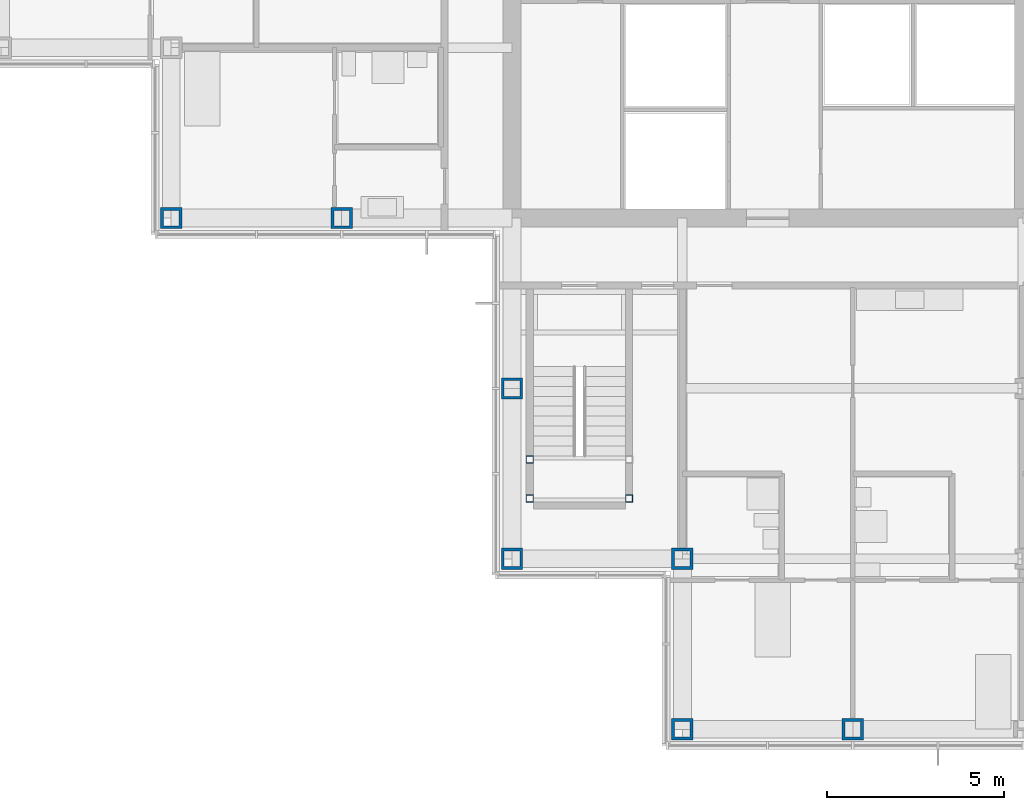
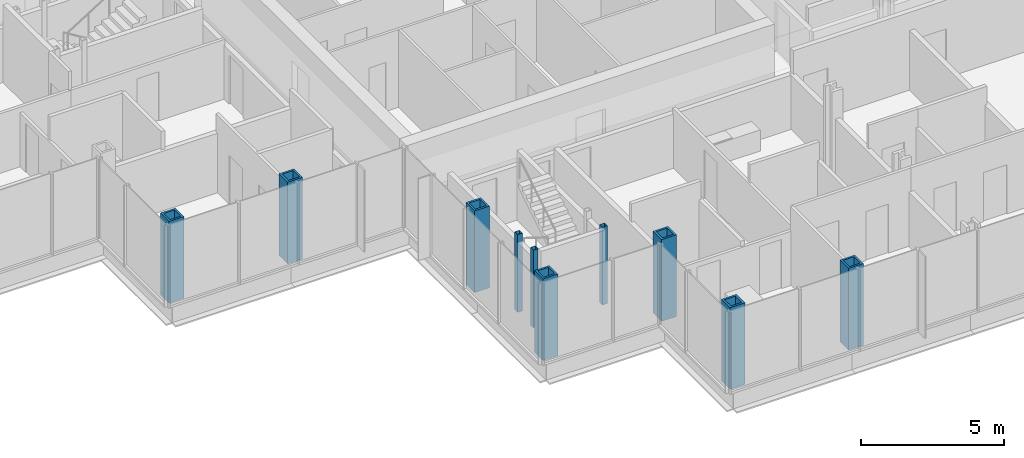
# One storey, part 1 of 20: 10 columns.
"""IFC4 building model written with IfcOpenShell, lengths in metres."""

from ifc_helpers import new_model, si_unit, direction, frame, origin, origin_2d, place, context, subcontext, project, spatial, hollow_rectangle, extrude, material, material_profile, profile_set, type_object, element, save


model = new_model("IFC4")

# Units and contexts
model_context = context("Model", 3, precision=1e-05, world=origin(), true_north=direction((0.0, 1.0)))
body_context = subcontext(model_context, "Body", "Model", "MODEL_VIEW")
ifc_project = project(units=[si_unit("LENGTHUNIT", "METRE"), si_unit("AREAUNIT", "SQUARE_METRE"), si_unit("VOLUMEUNIT", "CUBIC_METRE"), si_unit("PLANEANGLEUNIT", "RADIAN"), si_unit("MASSUNIT", "GRAM", prefix="KILO")], contexts=[model_context])

# Site, building, storey
site_placement = place(None, origin())
site = spatial("IfcSite", under=ifc_project, at=site_placement, CompositionType="ELEMENT")
building_placement = place(site_placement, origin())
building = spatial("IfcBuilding", under=site, at=building_placement, Name="Kvirike Care Tower", CompositionType="ELEMENT")
storey_placement = place(building_placement, frame((0.0, 0.0, 115.5)))
storey = spatial("IfcBuildingStorey", under=building, at=storey_placement, Name="L31", CompositionType="ELEMENT", Elevation=115.5)

# Columns
ifc_material_1 = material(Name="Steel S460", Category="steel")
ifc_material_profile_1 = material_profile(ifc_material_1, hollow_rectangle(XDim=0.60009765625, YDim=0.60009765625, WallThickness=0.080078125, at=origin_2d()), Name="BX 600x600x80")
ifc_profile_set_1 = profile_set([ifc_material_profile_1], Name="Steel S460")
column_type_1 = type_object("IfcColumnType", Name="COLUMN BX 600x600x80", PredefinedType="COLUMN", material=ifc_profile_set_1)
for number, where, z_axis, x_axis, name in (
    (1, (4.800048828125, 28.800048828125, 0.0), (0.0, 0.0, 1.0), (0.0, 1.0, 0.0), "Column G4 L31"),
    (2, (9.60009765625, 28.800048828125, 0.0), (0.0, 0.0, 1.0), (0.0, 1.0, 0.0), "Column G5 L31"),
    (3, (14.39990234375, 19.199951171875, 0.0), (0.0, 0.0, 1.0), (0.0, 1.0, 0.0), "Column E6 L31"),
    (4, (14.39990234375, 24.0, 0.0), (0.0, 0.0, 1.0), (1.0, 0.0, 0.0), "Column F6 L31"),
    (5, (19.199951171875, 14.39990234375, 0.0), (0.0, 0.0, 1.0), (0.0, 1.0, 0.0), "Column D7 L31"),
    (6, (19.199951171875, 19.199951171875, 0.0), (0.0, 0.0, 1.0), (0.0, 1.0, 0.0), "Column E7 L31"),
    (7, (24.0, 14.39990234375, 0.0), (0.0, 0.0, 1.0), (0.0, 1.0, 0.0), "Column D8 L31"),
):
    element("IfcColumn", number, at=place(storey_placement, frame(where, z_axis=z_axis, x_axis=x_axis)), inside=storey, type_object=column_type_1, Name=name, PredefinedType="COLUMN", context=body_context, shape_type="SweptSolid", body=[
        extrude(hollow_rectangle(XDim=0.60009765625, YDim=0.60009765625, WallThickness=0.080078125, at=origin_2d()), origin(), (0.0, 0.0, 1.0), 3.5),
    ])
ifc_material_2 = material(Name="Steel S460", Category="steel")
ifc_material_profile_2 = material_profile(ifc_material_2, hollow_rectangle(XDim=0.199951171875, YDim=0.199951171875, WallThickness=0.008056640625, at=origin_2d()), Name="SHS 200x200x8")
ifc_profile_set_2 = profile_set([ifc_material_profile_2], Name="Steel S460")
column_type_2 = type_object("IfcColumnType", Name="STAIR POST SHS 200x200x8", PredefinedType="COLUMN", material=ifc_profile_set_2)
for number, where, z_axis, x_axis, name in (
    (8, (14.89990234375, 20.89990234375, 0.0), (0.0, 0.0, 1.0), (1.0, 0.0, 0.0), "Stair 5 post 1 L31"),
    (9, (17.699951171875, 20.89990234375, 0.0), (0.0, 0.0, 1.0), (1.0, 0.0, 0.0), "Stair 5 post 2 L31"),
    (10, (14.89990234375, 22.0, 0.0), (0.0, 0.0, 1.0), (1.0, 0.0, 0.0), "Stair 5 post 3 L31"),
):
    element("IfcColumn", number, at=place(storey_placement, frame(where, z_axis=z_axis, x_axis=x_axis)), inside=storey, type_object=column_type_2, Name=name, PredefinedType="COLUMN", context=body_context, shape_type="SweptSolid", body=[
        extrude(hollow_rectangle(XDim=0.199951171875, YDim=0.199951171875, WallThickness=0.008056640625, at=origin_2d()), origin(), (0.0, 0.0, 1.0), 3.330078125),
    ])

save(model, "model.ifc")
